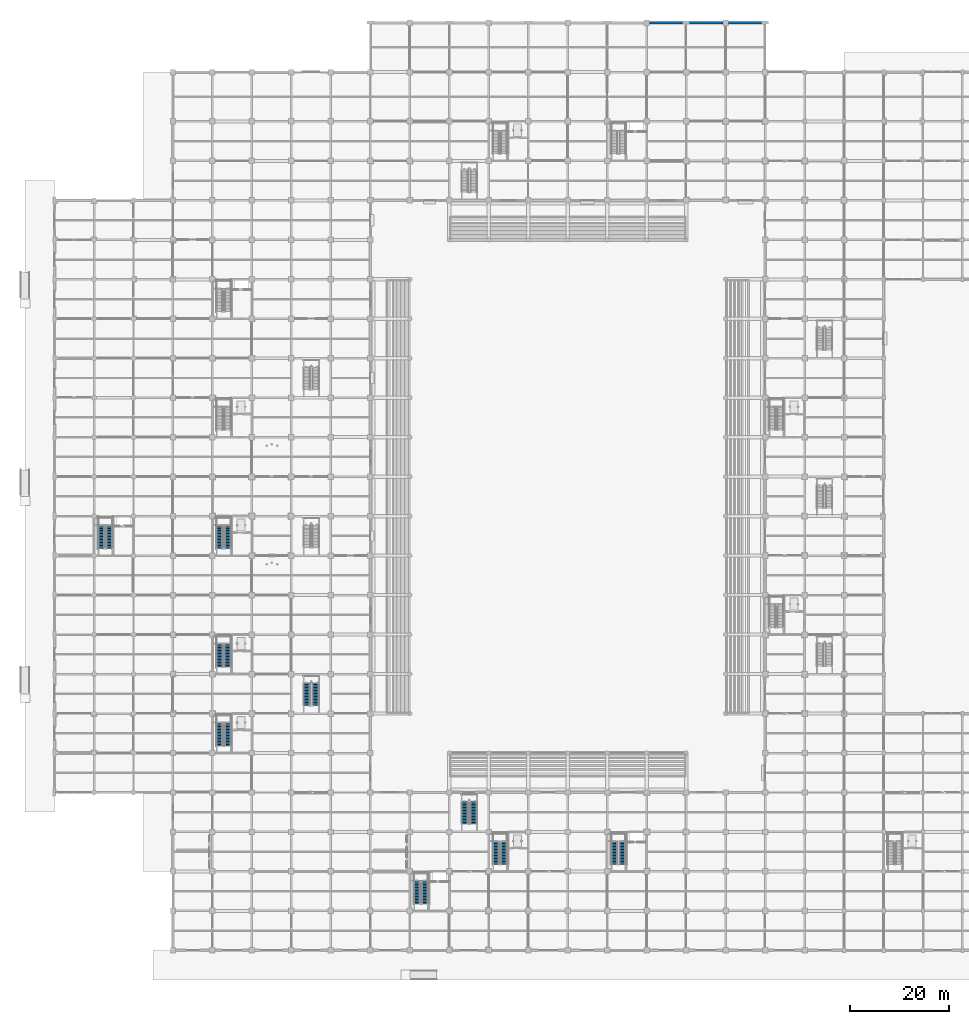
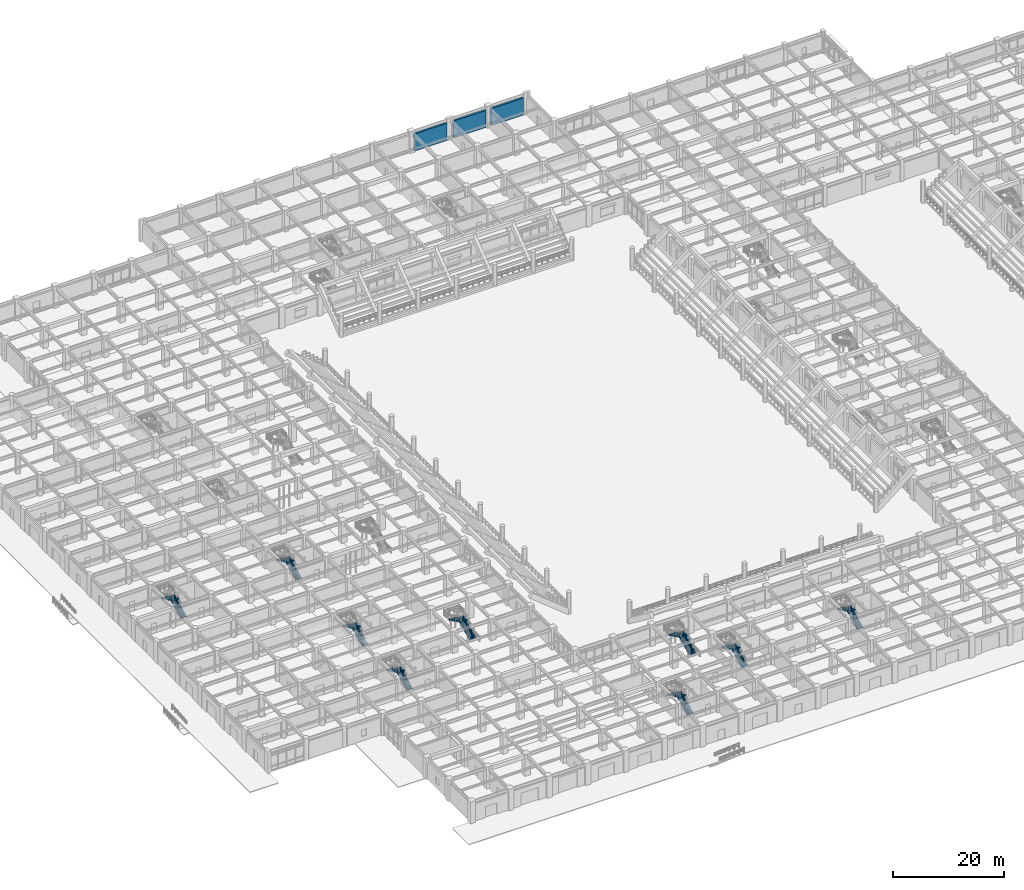
# One storey, part 94 of 125: 18 stair flights, 3 walls, 9 elements without a shape of their own.
"""IFC4 building model written with IfcOpenShell, lengths in metres."""

from ifc_helpers import new_model, si_unit, direction, frame, frame_2d, origin, place, context, subcontext, project, spatial, polyline, rectangle, outline, extrude, material, layer, layer_set, type_object, element, aggregate, save


model = new_model("IFC4")

# Units and contexts
model_context = context("Model", 3, precision=1e-05, world=origin(), true_north=direction((0.0, 1.0)))
body_context = subcontext(model_context, "Body", "Model", "MODEL_VIEW")
ifc_project = project(units=[si_unit("LENGTHUNIT", "METRE"), si_unit("AREAUNIT", "SQUARE_METRE"), si_unit("VOLUMEUNIT", "CUBIC_METRE"), si_unit("PLANEANGLEUNIT", "RADIAN"), si_unit("MASSUNIT", "GRAM", prefix="KILO")], contexts=[model_context])

# Site, building, storey
site_placement = place(None, origin())
site = spatial("IfcSite", under=ifc_project, at=site_placement, CompositionType="ELEMENT")
building_placement = place(site_placement, origin())
building = spatial("IfcBuilding", under=site, at=building_placement, Name="Haebicheon Civic Stadium", CompositionType="ELEMENT")
storey_placement = place(building_placement, origin())
storey = spatial("IfcBuildingStorey", under=building, at=storey_placement, Name="L01", CompositionType="ELEMENT", Elevation=0.0)

# Walls
ifc_material_1 = material(Name="Concrete C40/50", Category="concrete")
ifc_layer = layer(ifc_material_1, 0.419921875, Name="Concrete C40/50")
ifc_layer_set = layer_set([ifc_layer], Name="Concrete C40/50")
wall_type = type_object("IfcWallType", Name="EW-BM-420", PredefinedType="SOLIDWALL", material=ifc_layer_set)
for number, where, z_axis, x_axis, name in (
    (1, (120.550048828125, 188.0, 0.0), (0.0, 0.0, 1.0), (1.0, 0.0, 0.0), "L01 solid fire-rated exterior wall 15-23-N"),
    (2, (128.699951171875, 188.0, 0.0), (0.0, 0.0, 1.0), (1.0, 0.0, 0.0), "L01 solid fire-rated exterior wall 16-23-N"),
    (3, (136.550048828125, 188.0, 0.0), (0.0, 0.0, 1.0), (1.0, 0.0, 0.0), "L01 solid fire-rated exterior wall 17-23-N"),
):
    element("IfcWall", number, at=place(storey_placement, frame(where, z_axis=z_axis, x_axis=x_axis)), inside=storey, type_object=wall_type, material=ifc_layer_set, Name=name, PredefinedType="SOLIDWALL", context=body_context, shape_type="SweptSolid", body=[
        extrude(rectangle(XDim=6.75, YDim=0.419921875, at=frame_2d((3.375, 0.0))), origin(), (0.0, 0.0, 1.0), 3.77001953125),
    ])

# Stair, stair flights
ifc_material_2 = material(Name="Concrete C40/50", Category="concrete")
stair_type_1 = type_object("IfcStairType", Name="STR-DL-W126-H48", PredefinedType="HALF_TURN_STAIR", material=ifc_material_2)
stair_1_placement = place(storey_placement, origin())
stair_1 = element("IfcStair", 4, at=stair_1_placement, inside=storey, type_object=stair_type_1, material=ifc_material_2, Name="L01 Escape stair ST-01", PredefinedType="HALF_TURN_STAIR")
ifc_material_3 = material(Name="Concrete C40/50", Category="concrete")
stair_flight_type_1 = type_object("IfcStairFlightType", Name="STF-DL-W126-H48", PredefinedType="STRAIGHT", material=ifc_material_3)
stair_flight_1_placement = place(storey_placement, frame((35.110107421875, 41.449951171875, 0.0), z_axis=(0.0, 0.0, 1.0), x_axis=(0.0, 1.0, 0.0)))
stair_flight_1 = element("IfcStairFlight", 5, at=stair_flight_1_placement, type_object=stair_flight_type_1, material=ifc_material_3, Name="ST-01 flight 1", NumberOfRisers=16, NumberOfTreads=15, PredefinedType="STRAIGHT", RiserHeight=0.15, TreadLength=0.3, context=body_context, shape_type="SweptSolid", body=[
    extrude(outline(polyline([(0.0, 0.0), (0.0, 0.14990234375), (0.300048828125, 0.14990234375), (0.300048828125, 0.300048828125), (0.60009765625, 0.300048828125), (0.60009765625, 0.449951171875), (0.89990234375, 0.449951171875), (0.89990234375, 0.60009765625), (1.199951171875, 0.60009765625), (1.199951171875, 0.75), (1.5, 0.75), (1.5, 0.89990234375), (1.800048828125, 0.89990234375), (1.800048828125, 1.050048828125), (2.10009765625, 1.050048828125), (2.10009765625, 1.199951171875), (2.39990234375, 1.199951171875), (2.39990234375, 1.35009765625), (2.699951171875, 1.35009765625), (2.699951171875, 1.5), (3.0, 1.5), (3.0, 1.64990234375), (3.300048828125, 1.64990234375), (3.300048828125, 1.800048828125), (3.60009765625, 1.800048828125), (3.60009765625, 1.949951171875), (3.89990234375, 1.949951171875), (3.89990234375, 2.10009765625), (4.199951171875, 2.10009765625), (4.199951171875, 2.25), (4.5, 2.25), (4.5, 2.39990234375), (4.5, 2.0712890625), (0.357666015625, 0.0), (0.0, 0.0)])), frame((0.0, 0.6298828125, 0.0), z_axis=(0.0, -1.0, 0.0), x_axis=(1.0, 0.0, 0.0)), (0.0, 0.0, 1.0), 1.260009765625),
])
stair_flight_2_placement = place(storey_placement, frame((33.469970703125, 45.949951171875, 2.39990234375), z_axis=(0.0, 0.0, 1.0), x_axis=(0.0, -1.0, 0.0)))
stair_flight_2 = element("IfcStairFlight", 6, at=stair_flight_2_placement, type_object=stair_flight_type_1, material=ifc_material_3, Name="ST-01 flight 2", NumberOfRisers=16, NumberOfTreads=15, PredefinedType="STRAIGHT", RiserHeight=0.15, TreadLength=0.3, context=body_context, shape_type="SweptSolid", body=[
    extrude(outline(polyline([(0.0, 0.0), (0.0, 0.14990234375), (0.300048828125, 0.14990234375), (0.300048828125, 0.300048828125), (0.60009765625, 0.300048828125), (0.60009765625, 0.449951171875), (0.89990234375, 0.449951171875), (0.89990234375, 0.60009765625), (1.199951171875, 0.60009765625), (1.199951171875, 0.75), (1.5, 0.75), (1.5, 0.89990234375), (1.800048828125, 0.89990234375), (1.800048828125, 1.050048828125), (2.10009765625, 1.050048828125), (2.10009765625, 1.199951171875), (2.39990234375, 1.199951171875), (2.39990234375, 1.35009765625), (2.699951171875, 1.35009765625), (2.699951171875, 1.5), (3.0, 1.5), (3.0, 1.64990234375), (3.300048828125, 1.64990234375), (3.300048828125, 1.800048828125), (3.60009765625, 1.800048828125), (3.60009765625, 1.949951171875), (3.89990234375, 1.949951171875), (3.89990234375, 2.10009765625), (4.199951171875, 2.10009765625), (4.199951171875, 2.25), (4.5, 2.25), (4.5, 2.39990234375), (4.5, 2.0712890625), (0.357666015625, 0.0), (0.0, 0.0)])), frame((0.0, 0.6298828125, 0.0), z_axis=(0.0, -1.0, 0.0), x_axis=(1.0, 0.0, 0.0)), (0.0, 0.0, 1.0), 1.260009765625),
])
aggregate(stair_1, [stair_flight_1, stair_flight_2])

stair_2_placement = place(storey_placement, origin())
stair_2 = element("IfcStair", 7, at=stair_2_placement, inside=storey, type_object=stair_type_1, material=ifc_material_2, Name="L01 Escape stair ST-03", PredefinedType="HALF_TURN_STAIR")
stair_flight_3_placement = place(storey_placement, frame((35.110107421875, 81.449951171875, 0.0), z_axis=(0.0, 0.0, 1.0), x_axis=(0.0, 1.0, 0.0)))
stair_flight_3 = element("IfcStairFlight", 8, at=stair_flight_3_placement, type_object=stair_flight_type_1, material=ifc_material_3, Name="ST-03 flight 1", NumberOfRisers=16, NumberOfTreads=15, PredefinedType="STRAIGHT", RiserHeight=0.15, TreadLength=0.3, context=body_context, shape_type="SweptSolid", body=[
    extrude(outline(polyline([(0.0, 0.0), (0.0, 0.14990234375), (0.300048828125, 0.14990234375), (0.300048828125, 0.300048828125), (0.60009765625, 0.300048828125), (0.60009765625, 0.449951171875), (0.89990234375, 0.449951171875), (0.89990234375, 0.60009765625), (1.199951171875, 0.60009765625), (1.199951171875, 0.75), (1.5, 0.75), (1.5, 0.89990234375), (1.800048828125, 0.89990234375), (1.800048828125, 1.050048828125), (2.10009765625, 1.050048828125), (2.10009765625, 1.199951171875), (2.39990234375, 1.199951171875), (2.39990234375, 1.35009765625), (2.699951171875, 1.35009765625), (2.699951171875, 1.5), (3.0, 1.5), (3.0, 1.64990234375), (3.300048828125, 1.64990234375), (3.300048828125, 1.800048828125), (3.60009765625, 1.800048828125), (3.60009765625, 1.949951171875), (3.89990234375, 1.949951171875), (3.89990234375, 2.10009765625), (4.199951171875, 2.10009765625), (4.199951171875, 2.25), (4.5, 2.25), (4.5, 2.39990234375), (4.5, 2.0712890625), (0.357666015625, 0.0), (0.0, 0.0)])), frame((0.0, 0.6298828125, 0.0), z_axis=(0.0, -1.0, 0.0), x_axis=(1.0, 0.0, 0.0)), (0.0, 0.0, 1.0), 1.260009765625),
])
stair_flight_4_placement = place(storey_placement, frame((33.469970703125, 85.949951171875, 2.39990234375), z_axis=(0.0, 0.0, 1.0), x_axis=(0.0, -1.0, 0.0)))
stair_flight_4 = element("IfcStairFlight", 9, at=stair_flight_4_placement, type_object=stair_flight_type_1, material=ifc_material_3, Name="ST-03 flight 2", NumberOfRisers=16, NumberOfTreads=15, PredefinedType="STRAIGHT", RiserHeight=0.15, TreadLength=0.3, context=body_context, shape_type="SweptSolid", body=[
    extrude(outline(polyline([(0.0, 0.0), (0.0, 0.14990234375), (0.300048828125, 0.14990234375), (0.300048828125, 0.300048828125), (0.60009765625, 0.300048828125), (0.60009765625, 0.449951171875), (0.89990234375, 0.449951171875), (0.89990234375, 0.60009765625), (1.199951171875, 0.60009765625), (1.199951171875, 0.75), (1.5, 0.75), (1.5, 0.89990234375), (1.800048828125, 0.89990234375), (1.800048828125, 1.050048828125), (2.10009765625, 1.050048828125), (2.10009765625, 1.199951171875), (2.39990234375, 1.199951171875), (2.39990234375, 1.35009765625), (2.699951171875, 1.35009765625), (2.699951171875, 1.5), (3.0, 1.5), (3.0, 1.64990234375), (3.300048828125, 1.64990234375), (3.300048828125, 1.800048828125), (3.60009765625, 1.800048828125), (3.60009765625, 1.949951171875), (3.89990234375, 1.949951171875), (3.89990234375, 2.10009765625), (4.199951171875, 2.10009765625), (4.199951171875, 2.25), (4.5, 2.25), (4.5, 2.39990234375), (4.5, 2.0712890625), (0.357666015625, 0.0), (0.0, 0.0)])), frame((0.0, 0.6298828125, 0.0), z_axis=(0.0, -1.0, 0.0), x_axis=(1.0, 0.0, 0.0)), (0.0, 0.0, 1.0), 1.260009765625),
])
aggregate(stair_2, [stair_flight_3, stair_flight_4])

stair_3_placement = place(storey_placement, origin())
stair_3 = element("IfcStair", 10, at=stair_3_placement, inside=storey, type_object=stair_type_1, material=ifc_material_2, Name="L01 Escape stair ST-07", PredefinedType="HALF_TURN_STAIR")
stair_flight_5_placement = place(storey_placement, frame((115.110107421875, 17.449951171875, 0.0), z_axis=(0.0, 0.0, 1.0), x_axis=(0.0, 1.0, 0.0)))
stair_flight_5 = element("IfcStairFlight", 11, at=stair_flight_5_placement, type_object=stair_flight_type_1, material=ifc_material_3, Name="ST-07 flight 1", NumberOfRisers=16, NumberOfTreads=15, PredefinedType="STRAIGHT", RiserHeight=0.15, TreadLength=0.3, context=body_context, shape_type="SweptSolid", body=[
    extrude(outline(polyline([(0.0, 0.0), (0.0, 0.14990234375), (0.300048828125, 0.14990234375), (0.300048828125, 0.300048828125), (0.60009765625, 0.300048828125), (0.60009765625, 0.449951171875), (0.89990234375, 0.449951171875), (0.89990234375, 0.60009765625), (1.199951171875, 0.60009765625), (1.199951171875, 0.75), (1.5, 0.75), (1.5, 0.89990234375), (1.800048828125, 0.89990234375), (1.800048828125, 1.050048828125), (2.10009765625, 1.050048828125), (2.10009765625, 1.199951171875), (2.39990234375, 1.199951171875), (2.39990234375, 1.35009765625), (2.699951171875, 1.35009765625), (2.699951171875, 1.5), (3.0, 1.5), (3.0, 1.64990234375), (3.300048828125, 1.64990234375), (3.300048828125, 1.800048828125), (3.60009765625, 1.800048828125), (3.60009765625, 1.949951171875), (3.89990234375, 1.949951171875), (3.89990234375, 2.10009765625), (4.199951171875, 2.10009765625), (4.199951171875, 2.25), (4.5, 2.25), (4.5, 2.39990234375), (4.5, 2.0712890625), (0.357666015625, 0.0), (0.0, 0.0)])), frame((0.0, 0.6298828125, 0.0), z_axis=(0.0, -1.0, 0.0), x_axis=(1.0, 0.0, 0.0)), (0.0, 0.0, 1.0), 1.260009765625),
])
stair_flight_6_placement = place(storey_placement, frame((113.469970703125, 21.949951171875, 2.39990234375), z_axis=(0.0, 0.0, 1.0), x_axis=(0.0, -1.0, 0.0)))
stair_flight_6 = element("IfcStairFlight", 12, at=stair_flight_6_placement, type_object=stair_flight_type_1, material=ifc_material_3, Name="ST-07 flight 2", NumberOfRisers=16, NumberOfTreads=15, PredefinedType="STRAIGHT", RiserHeight=0.15, TreadLength=0.3, context=body_context, shape_type="SweptSolid", body=[
    extrude(outline(polyline([(0.0, 0.0), (0.0, 0.14990234375), (0.300048828125, 0.14990234375), (0.300048828125, 0.300048828125), (0.60009765625, 0.300048828125), (0.60009765625, 0.449951171875), (0.89990234375, 0.449951171875), (0.89990234375, 0.60009765625), (1.199951171875, 0.60009765625), (1.199951171875, 0.75), (1.5, 0.75), (1.5, 0.89990234375), (1.800048828125, 0.89990234375), (1.800048828125, 1.050048828125), (2.10009765625, 1.050048828125), (2.10009765625, 1.199951171875), (2.39990234375, 1.199951171875), (2.39990234375, 1.35009765625), (2.699951171875, 1.35009765625), (2.699951171875, 1.5), (3.0, 1.5), (3.0, 1.64990234375), (3.300048828125, 1.64990234375), (3.300048828125, 1.800048828125), (3.60009765625, 1.800048828125), (3.60009765625, 1.949951171875), (3.89990234375, 1.949951171875), (3.89990234375, 2.10009765625), (4.199951171875, 2.10009765625), (4.199951171875, 2.25), (4.5, 2.25), (4.5, 2.39990234375), (4.5, 2.0712890625), (0.357666015625, 0.0), (0.0, 0.0)])), frame((0.0, 0.6298828125, 0.0), z_axis=(0.0, -1.0, 0.0), x_axis=(1.0, 0.0, 0.0)), (0.0, 0.0, 1.0), 1.260009765625),
])
aggregate(stair_3, [stair_flight_5, stair_flight_6])

stair_4_placement = place(storey_placement, origin())
stair_4 = element("IfcStair", 13, at=stair_4_placement, inside=storey, type_object=stair_type_1, material=ifc_material_2, Name="L01 Escape stair ST-15", PredefinedType="HALF_TURN_STAIR")
stair_flight_7_placement = place(storey_placement, frame((11.110107421875, 81.449951171875, 0.0), z_axis=(0.0, 0.0, 1.0), x_axis=(0.0, 1.0, 0.0)))
stair_flight_7 = element("IfcStairFlight", 14, at=stair_flight_7_placement, type_object=stair_flight_type_1, material=ifc_material_3, Name="ST-15 flight 1", NumberOfRisers=16, NumberOfTreads=15, PredefinedType="STRAIGHT", RiserHeight=0.15, TreadLength=0.3, context=body_context, shape_type="SweptSolid", body=[
    extrude(outline(polyline([(0.0, 0.0), (0.0, 0.14990234375), (0.300048828125, 0.14990234375), (0.300048828125, 0.300048828125), (0.60009765625, 0.300048828125), (0.60009765625, 0.449951171875), (0.89990234375, 0.449951171875), (0.89990234375, 0.60009765625), (1.199951171875, 0.60009765625), (1.199951171875, 0.75), (1.5, 0.75), (1.5, 0.89990234375), (1.800048828125, 0.89990234375), (1.800048828125, 1.050048828125), (2.10009765625, 1.050048828125), (2.10009765625, 1.199951171875), (2.39990234375, 1.199951171875), (2.39990234375, 1.35009765625), (2.699951171875, 1.35009765625), (2.699951171875, 1.5), (3.0, 1.5), (3.0, 1.64990234375), (3.300048828125, 1.64990234375), (3.300048828125, 1.800048828125), (3.60009765625, 1.800048828125), (3.60009765625, 1.949951171875), (3.89990234375, 1.949951171875), (3.89990234375, 2.10009765625), (4.199951171875, 2.10009765625), (4.199951171875, 2.25), (4.5, 2.25), (4.5, 2.39990234375), (4.5, 2.0712890625), (0.357666015625, 0.0), (0.0, 0.0)])), frame((0.0, 0.6298828125, 0.0), z_axis=(0.0, -1.0, 0.0), x_axis=(1.0, 0.0, 0.0)), (0.0, 0.0, 1.0), 1.260009765625),
])
stair_flight_8_placement = place(storey_placement, frame((9.469970703125, 85.949951171875, 2.39990234375), z_axis=(0.0, 0.0, 1.0), x_axis=(0.0, -1.0, 0.0)))
stair_flight_8 = element("IfcStairFlight", 15, at=stair_flight_8_placement, type_object=stair_flight_type_1, material=ifc_material_3, Name="ST-15 flight 2", NumberOfRisers=16, NumberOfTreads=15, PredefinedType="STRAIGHT", RiserHeight=0.15, TreadLength=0.3, context=body_context, shape_type="SweptSolid", body=[
    extrude(outline(polyline([(0.0, 0.0), (0.0, 0.14990234375), (0.300048828125, 0.14990234375), (0.300048828125, 0.300048828125), (0.60009765625, 0.300048828125), (0.60009765625, 0.449951171875), (0.89990234375, 0.449951171875), (0.89990234375, 0.60009765625), (1.199951171875, 0.60009765625), (1.199951171875, 0.75), (1.5, 0.75), (1.5, 0.89990234375), (1.800048828125, 0.89990234375), (1.800048828125, 1.050048828125), (2.10009765625, 1.050048828125), (2.10009765625, 1.199951171875), (2.39990234375, 1.199951171875), (2.39990234375, 1.35009765625), (2.699951171875, 1.35009765625), (2.699951171875, 1.5), (3.0, 1.5), (3.0, 1.64990234375), (3.300048828125, 1.64990234375), (3.300048828125, 1.800048828125), (3.60009765625, 1.800048828125), (3.60009765625, 1.949951171875), (3.89990234375, 1.949951171875), (3.89990234375, 2.10009765625), (4.199951171875, 2.10009765625), (4.199951171875, 2.25), (4.5, 2.25), (4.5, 2.39990234375), (4.5, 2.0712890625), (0.357666015625, 0.0), (0.0, 0.0)])), frame((0.0, 0.6298828125, 0.0), z_axis=(0.0, -1.0, 0.0), x_axis=(1.0, 0.0, 0.0)), (0.0, 0.0, 1.0), 1.260009765625),
])
aggregate(stair_4, [stair_flight_7, stair_flight_8])

ifc_material_4 = material(Name="Concrete C40/50", Category="concrete")
stair_type_2 = type_object("IfcStairType", Name="STR-DL-W128-H48", PredefinedType="HALF_TURN_STAIR", material=ifc_material_4)
stair_5_placement = place(storey_placement, origin())
stair_5 = element("IfcStair", 16, at=stair_5_placement, inside=storey, type_object=stair_type_2, material=ifc_material_4, Name="L01 Escape stair ST-02", PredefinedType="HALF_TURN_STAIR")
ifc_material_5 = material(Name="Concrete C40/50", Category="concrete")
stair_flight_type_2 = type_object("IfcStairFlightType", Name="STF-DL-W128-H48", PredefinedType="STRAIGHT", material=ifc_material_5)
stair_flight_9_placement = place(storey_placement, frame((35.10009765625, 57.449951171875, 0.0), z_axis=(0.0, 0.0, 1.0), x_axis=(0.0, 1.0, 0.0)))
stair_flight_9 = element("IfcStairFlight", 17, at=stair_flight_9_placement, type_object=stair_flight_type_2, material=ifc_material_5, Name="ST-02 flight 1", NumberOfRisers=16, NumberOfTreads=15, PredefinedType="STRAIGHT", RiserHeight=0.15, TreadLength=0.3, context=body_context, shape_type="SweptSolid", body=[
    extrude(outline(polyline([(0.0, 0.0), (0.0, 0.14990234375), (0.300048828125, 0.14990234375), (0.300048828125, 0.300048828125), (0.60009765625, 0.300048828125), (0.60009765625, 0.449951171875), (0.89990234375, 0.449951171875), (0.89990234375, 0.60009765625), (1.199951171875, 0.60009765625), (1.199951171875, 0.75), (1.5, 0.75), (1.5, 0.89990234375), (1.800048828125, 0.89990234375), (1.800048828125, 1.050048828125), (2.10009765625, 1.050048828125), (2.10009765625, 1.199951171875), (2.39990234375, 1.199951171875), (2.39990234375, 1.35009765625), (2.699951171875, 1.35009765625), (2.699951171875, 1.5), (3.0, 1.5), (3.0, 1.64990234375), (3.300048828125, 1.64990234375), (3.300048828125, 1.800048828125), (3.60009765625, 1.800048828125), (3.60009765625, 1.949951171875), (3.89990234375, 1.949951171875), (3.89990234375, 2.10009765625), (4.199951171875, 2.10009765625), (4.199951171875, 2.25), (4.5, 2.25), (4.5, 2.39990234375), (4.5, 2.0712890625), (0.357666015625, 0.0), (0.0, 0.0)])), frame((0.0, 0.64013671875, 0.0), z_axis=(0.0, -1.0, 0.0), x_axis=(1.0, 0.0, 0.0)), (0.0, 0.0, 1.0), 1.280029296875),
])
stair_flight_10_placement = place(storey_placement, frame((33.47998046875, 61.949951171875, 2.39990234375), z_axis=(0.0, 0.0, 1.0), x_axis=(0.0, -1.0, 0.0)))
stair_flight_10 = element("IfcStairFlight", 18, at=stair_flight_10_placement, type_object=stair_flight_type_2, material=ifc_material_5, Name="ST-02 flight 2", NumberOfRisers=16, NumberOfTreads=15, PredefinedType="STRAIGHT", RiserHeight=0.15, TreadLength=0.3, context=body_context, shape_type="SweptSolid", body=[
    extrude(outline(polyline([(0.0, 0.0), (0.0, 0.14990234375), (0.300048828125, 0.14990234375), (0.300048828125, 0.300048828125), (0.60009765625, 0.300048828125), (0.60009765625, 0.449951171875), (0.89990234375, 0.449951171875), (0.89990234375, 0.60009765625), (1.199951171875, 0.60009765625), (1.199951171875, 0.75), (1.5, 0.75), (1.5, 0.89990234375), (1.800048828125, 0.89990234375), (1.800048828125, 1.050048828125), (2.10009765625, 1.050048828125), (2.10009765625, 1.199951171875), (2.39990234375, 1.199951171875), (2.39990234375, 1.35009765625), (2.699951171875, 1.35009765625), (2.699951171875, 1.5), (3.0, 1.5), (3.0, 1.64990234375), (3.300048828125, 1.64990234375), (3.300048828125, 1.800048828125), (3.60009765625, 1.800048828125), (3.60009765625, 1.949951171875), (3.89990234375, 1.949951171875), (3.89990234375, 2.10009765625), (4.199951171875, 2.10009765625), (4.199951171875, 2.25), (4.5, 2.25), (4.5, 2.39990234375), (4.5, 2.0712890625), (0.357666015625, 0.0), (0.0, 0.0)])), frame((0.0, 0.64013671875, 0.0), z_axis=(0.0, -1.0, 0.0), x_axis=(1.0, 0.0, 0.0)), (0.0, 0.0, 1.0), 1.280029296875),
])
aggregate(stair_5, [stair_flight_9, stair_flight_10])

stair_6_placement = place(storey_placement, origin())
stair_6 = element("IfcStair", 19, at=stair_6_placement, inside=storey, type_object=stair_type_2, material=ifc_material_4, Name="L01 Escape stair ST-06", PredefinedType="HALF_TURN_STAIR")
stair_flight_11_placement = place(storey_placement, frame((91.10009765625, 17.449951171875, 0.0), z_axis=(0.0, 0.0, 1.0), x_axis=(0.0, 1.0, 0.0)))
stair_flight_11 = element("IfcStairFlight", 20, at=stair_flight_11_placement, type_object=stair_flight_type_2, material=ifc_material_5, Name="ST-06 flight 1", NumberOfRisers=16, NumberOfTreads=15, PredefinedType="STRAIGHT", RiserHeight=0.15, TreadLength=0.3, context=body_context, shape_type="SweptSolid", body=[
    extrude(outline(polyline([(0.0, 0.0), (0.0, 0.14990234375), (0.300048828125, 0.14990234375), (0.300048828125, 0.300048828125), (0.60009765625, 0.300048828125), (0.60009765625, 0.449951171875), (0.89990234375, 0.449951171875), (0.89990234375, 0.60009765625), (1.199951171875, 0.60009765625), (1.199951171875, 0.75), (1.5, 0.75), (1.5, 0.89990234375), (1.800048828125, 0.89990234375), (1.800048828125, 1.050048828125), (2.10009765625, 1.050048828125), (2.10009765625, 1.199951171875), (2.39990234375, 1.199951171875), (2.39990234375, 1.35009765625), (2.699951171875, 1.35009765625), (2.699951171875, 1.5), (3.0, 1.5), (3.0, 1.64990234375), (3.300048828125, 1.64990234375), (3.300048828125, 1.800048828125), (3.60009765625, 1.800048828125), (3.60009765625, 1.949951171875), (3.89990234375, 1.949951171875), (3.89990234375, 2.10009765625), (4.199951171875, 2.10009765625), (4.199951171875, 2.25), (4.5, 2.25), (4.5, 2.39990234375), (4.5, 2.0712890625), (0.357666015625, 0.0), (0.0, 0.0)])), frame((0.0, 0.64013671875, 0.0), z_axis=(0.0, -1.0, 0.0), x_axis=(1.0, 0.0, 0.0)), (0.0, 0.0, 1.0), 1.280029296875),
])
stair_flight_12_placement = place(storey_placement, frame((89.47998046875, 21.949951171875, 2.39990234375), z_axis=(0.0, 0.0, 1.0), x_axis=(0.0, -1.0, 0.0)))
stair_flight_12 = element("IfcStairFlight", 21, at=stair_flight_12_placement, type_object=stair_flight_type_2, material=ifc_material_5, Name="ST-06 flight 2", NumberOfRisers=16, NumberOfTreads=15, PredefinedType="STRAIGHT", RiserHeight=0.15, TreadLength=0.3, context=body_context, shape_type="SweptSolid", body=[
    extrude(outline(polyline([(0.0, 0.0), (0.0, 0.14990234375), (0.300048828125, 0.14990234375), (0.300048828125, 0.300048828125), (0.60009765625, 0.300048828125), (0.60009765625, 0.449951171875), (0.89990234375, 0.449951171875), (0.89990234375, 0.60009765625), (1.199951171875, 0.60009765625), (1.199951171875, 0.75), (1.5, 0.75), (1.5, 0.89990234375), (1.800048828125, 0.89990234375), (1.800048828125, 1.050048828125), (2.10009765625, 1.050048828125), (2.10009765625, 1.199951171875), (2.39990234375, 1.199951171875), (2.39990234375, 1.35009765625), (2.699951171875, 1.35009765625), (2.699951171875, 1.5), (3.0, 1.5), (3.0, 1.64990234375), (3.300048828125, 1.64990234375), (3.300048828125, 1.800048828125), (3.60009765625, 1.800048828125), (3.60009765625, 1.949951171875), (3.89990234375, 1.949951171875), (3.89990234375, 2.10009765625), (4.199951171875, 2.10009765625), (4.199951171875, 2.25), (4.5, 2.25), (4.5, 2.39990234375), (4.5, 2.0712890625), (0.357666015625, 0.0), (0.0, 0.0)])), frame((0.0, 0.64013671875, 0.0), z_axis=(0.0, -1.0, 0.0), x_axis=(1.0, 0.0, 0.0)), (0.0, 0.0, 1.0), 1.280029296875),
])
aggregate(stair_6, [stair_flight_11, stair_flight_12])

stair_7_placement = place(storey_placement, origin())
stair_7 = element("IfcStair", 22, at=stair_7_placement, inside=storey, type_object=stair_type_2, material=ifc_material_4, Name="L01 Escape stair ST-16", PredefinedType="HALF_TURN_STAIR")
stair_flight_13_placement = place(storey_placement, frame((75.10009765625, 9.449951171875, 0.0), z_axis=(0.0, 0.0, 1.0), x_axis=(0.0, 1.0, 0.0)))
stair_flight_13 = element("IfcStairFlight", 23, at=stair_flight_13_placement, type_object=stair_flight_type_2, material=ifc_material_5, Name="ST-16 flight 1", NumberOfRisers=16, NumberOfTreads=15, PredefinedType="STRAIGHT", RiserHeight=0.15, TreadLength=0.3, context=body_context, shape_type="SweptSolid", body=[
    extrude(outline(polyline([(0.0, 0.0), (0.0, 0.14990234375), (0.300048828125, 0.14990234375), (0.300048828125, 0.300048828125), (0.60009765625, 0.300048828125), (0.60009765625, 0.449951171875), (0.89990234375, 0.449951171875), (0.89990234375, 0.60009765625), (1.199951171875, 0.60009765625), (1.199951171875, 0.75), (1.5, 0.75), (1.5, 0.89990234375), (1.800048828125, 0.89990234375), (1.800048828125, 1.050048828125), (2.10009765625, 1.050048828125), (2.10009765625, 1.199951171875), (2.39990234375, 1.199951171875), (2.39990234375, 1.35009765625), (2.699951171875, 1.35009765625), (2.699951171875, 1.5), (3.0, 1.5), (3.0, 1.64990234375), (3.300048828125, 1.64990234375), (3.300048828125, 1.800048828125), (3.60009765625, 1.800048828125), (3.60009765625, 1.949951171875), (3.89990234375, 1.949951171875), (3.89990234375, 2.10009765625), (4.199951171875, 2.10009765625), (4.199951171875, 2.25), (4.5, 2.25), (4.5, 2.39990234375), (4.5, 2.0712890625), (0.357666015625, 0.0), (0.0, 0.0)])), frame((0.0, 0.64013671875, 0.0), z_axis=(0.0, -1.0, 0.0), x_axis=(1.0, 0.0, 0.0)), (0.0, 0.0, 1.0), 1.280029296875),
])
stair_flight_14_placement = place(storey_placement, frame((73.47998046875, 13.949951171875, 2.39990234375), z_axis=(0.0, 0.0, 1.0), x_axis=(0.0, -1.0, 0.0)))
stair_flight_14 = element("IfcStairFlight", 24, at=stair_flight_14_placement, type_object=stair_flight_type_2, material=ifc_material_5, Name="ST-16 flight 2", NumberOfRisers=16, NumberOfTreads=15, PredefinedType="STRAIGHT", RiserHeight=0.15, TreadLength=0.3, context=body_context, shape_type="SweptSolid", body=[
    extrude(outline(polyline([(0.0, 0.0), (0.0, 0.14990234375), (0.300048828125, 0.14990234375), (0.300048828125, 0.300048828125), (0.60009765625, 0.300048828125), (0.60009765625, 0.449951171875), (0.89990234375, 0.449951171875), (0.89990234375, 0.60009765625), (1.199951171875, 0.60009765625), (1.199951171875, 0.75), (1.5, 0.75), (1.5, 0.89990234375), (1.800048828125, 0.89990234375), (1.800048828125, 1.050048828125), (2.10009765625, 1.050048828125), (2.10009765625, 1.199951171875), (2.39990234375, 1.199951171875), (2.39990234375, 1.35009765625), (2.699951171875, 1.35009765625), (2.699951171875, 1.5), (3.0, 1.5), (3.0, 1.64990234375), (3.300048828125, 1.64990234375), (3.300048828125, 1.800048828125), (3.60009765625, 1.800048828125), (3.60009765625, 1.949951171875), (3.89990234375, 1.949951171875), (3.89990234375, 2.10009765625), (4.199951171875, 2.10009765625), (4.199951171875, 2.25), (4.5, 2.25), (4.5, 2.39990234375), (4.5, 2.0712890625), (0.357666015625, 0.0), (0.0, 0.0)])), frame((0.0, 0.64013671875, 0.0), z_axis=(0.0, -1.0, 0.0), x_axis=(1.0, 0.0, 0.0)), (0.0, 0.0, 1.0), 1.280029296875),
])
aggregate(stair_7, [stair_flight_13, stair_flight_14])

ifc_material_6 = material(Name="Concrete C40/50", Category="concrete")
stair_type_3 = type_object("IfcStairType", Name="STR-DL-W136-H48", PredefinedType="HALF_TURN_STAIR", material=ifc_material_6)
stair_8_placement = place(storey_placement, origin())
stair_8 = element("IfcStair", 25, at=stair_8_placement, inside=storey, type_object=stair_type_3, material=ifc_material_6, Name="Vomitory stair VM-01 (L01)", PredefinedType="HALF_TURN_STAIR")
ifc_material_7 = material(Name="Concrete C40/50", Category="concrete")
stair_flight_type_3 = type_object("IfcStairFlightType", Name="STF-DL-W136-H48", PredefinedType="STRAIGHT", material=ifc_material_7)
stair_flight_15_placement = place(storey_placement, frame((52.9599609375, 49.64990234375, 0.0), z_axis=(0.0, 0.0, 1.0), x_axis=(0.0, 1.0, 0.0)))
stair_flight_15 = element("IfcStairFlight", 26, at=stair_flight_15_placement, type_object=stair_flight_type_3, material=ifc_material_7, Name="VM-01 flight 1", NumberOfRisers=16, NumberOfTreads=15, PredefinedType="STRAIGHT", RiserHeight=0.15, TreadLength=0.3, context=body_context, shape_type="SweptSolid", body=[
    extrude(outline(polyline([(0.0, 0.0), (0.0, 0.14990234375), (0.300048828125, 0.14990234375), (0.300048828125, 0.300048828125), (0.60009765625, 0.300048828125), (0.60009765625, 0.449951171875), (0.89990234375, 0.449951171875), (0.89990234375, 0.60009765625), (1.199951171875, 0.60009765625), (1.199951171875, 0.75), (1.5, 0.75), (1.5, 0.89990234375), (1.800048828125, 0.89990234375), (1.800048828125, 1.050048828125), (2.10009765625, 1.050048828125), (2.10009765625, 1.199951171875), (2.39990234375, 1.199951171875), (2.39990234375, 1.35009765625), (2.699951171875, 1.35009765625), (2.699951171875, 1.5), (3.0, 1.5), (3.0, 1.64990234375), (3.300048828125, 1.64990234375), (3.300048828125, 1.800048828125), (3.60009765625, 1.800048828125), (3.60009765625, 1.949951171875), (3.89990234375, 1.949951171875), (3.89990234375, 2.10009765625), (4.199951171875, 2.10009765625), (4.199951171875, 2.25), (4.5, 2.25), (4.5, 2.39990234375), (4.5, 2.0712890625), (0.357666015625, 0.0), (0.0, 0.0)])), frame((0.0, 0.68017578125, 0.0), z_axis=(0.0, -1.0, 0.0), x_axis=(1.0, 0.0, 0.0)), (0.0, 0.0, 1.0), 1.360107421875),
])
stair_flight_16_placement = place(storey_placement, frame((51.139892578125, 54.14990234375, 2.39990234375), z_axis=(0.0, 0.0, 1.0), x_axis=(0.0, -1.0, 0.0)))
stair_flight_16 = element("IfcStairFlight", 27, at=stair_flight_16_placement, type_object=stair_flight_type_3, material=ifc_material_7, Name="VM-01 flight 2", NumberOfRisers=16, NumberOfTreads=15, PredefinedType="STRAIGHT", RiserHeight=0.15, TreadLength=0.3, context=body_context, shape_type="SweptSolid", body=[
    extrude(outline(polyline([(0.0, 0.0), (0.0, 0.14990234375), (0.300048828125, 0.14990234375), (0.300048828125, 0.300048828125), (0.60009765625, 0.300048828125), (0.60009765625, 0.449951171875), (0.89990234375, 0.449951171875), (0.89990234375, 0.60009765625), (1.199951171875, 0.60009765625), (1.199951171875, 0.75), (1.5, 0.75), (1.5, 0.89990234375), (1.800048828125, 0.89990234375), (1.800048828125, 1.050048828125), (2.10009765625, 1.050048828125), (2.10009765625, 1.199951171875), (2.39990234375, 1.199951171875), (2.39990234375, 1.35009765625), (2.699951171875, 1.35009765625), (2.699951171875, 1.5), (3.0, 1.5), (3.0, 1.64990234375), (3.300048828125, 1.64990234375), (3.300048828125, 1.800048828125), (3.60009765625, 1.800048828125), (3.60009765625, 1.949951171875), (3.89990234375, 1.949951171875), (3.89990234375, 2.10009765625), (4.199951171875, 2.10009765625), (4.199951171875, 2.25), (4.5, 2.25), (4.5, 2.39990234375), (4.5, 2.0712890625), (0.357666015625, 0.0), (0.0, 0.0)])), frame((0.0, 0.68017578125, 0.0), z_axis=(0.0, -1.0, 0.0), x_axis=(1.0, 0.0, 0.0)), (0.0, 0.0, 1.0), 1.360107421875),
])
aggregate(stair_8, [stair_flight_15, stair_flight_16])

ifc_material_8 = material(Name="Concrete C40/50", Category="concrete")
stair_type_4 = type_object("IfcStairType", Name="STR-DL-W140-H48", PredefinedType="HALF_TURN_STAIR", material=ifc_material_8)
stair_9_placement = place(storey_placement, origin())
stair_9 = element("IfcStair", 28, at=stair_9_placement, inside=storey, type_object=stair_type_4, material=ifc_material_8, Name="Vomitory stair VM-10 (L01)", PredefinedType="HALF_TURN_STAIR")
ifc_material_9 = material(Name="Concrete C40/50", Category="concrete")
stair_flight_type_4 = type_object("IfcStairFlightType", Name="STF-DL-W140-H48", PredefinedType="STRAIGHT", material=ifc_material_9)
stair_flight_17_placement = place(storey_placement, frame((84.93994140625, 25.64990234375, 0.0), z_axis=(0.0, 0.0, 1.0), x_axis=(0.0, 1.0, 0.0)))
stair_flight_17 = element("IfcStairFlight", 29, at=stair_flight_17_placement, type_object=stair_flight_type_4, material=ifc_material_9, Name="VM-10 flight 1", NumberOfRisers=16, NumberOfTreads=15, PredefinedType="STRAIGHT", RiserHeight=0.15, TreadLength=0.3, context=body_context, shape_type="SweptSolid", body=[
    extrude(outline(polyline([(0.0, 0.0), (0.0, 0.14990234375), (0.300048828125, 0.14990234375), (0.300048828125, 0.300048828125), (0.60009765625, 0.300048828125), (0.60009765625, 0.449951171875), (0.89990234375, 0.449951171875), (0.89990234375, 0.60009765625), (1.199951171875, 0.60009765625), (1.199951171875, 0.75), (1.5, 0.75), (1.5, 0.89990234375), (1.800048828125, 0.89990234375), (1.800048828125, 1.050048828125), (2.10009765625, 1.050048828125), (2.10009765625, 1.199951171875), (2.39990234375, 1.199951171875), (2.39990234375, 1.35009765625), (2.699951171875, 1.35009765625), (2.699951171875, 1.5), (3.0, 1.5), (3.0, 1.64990234375), (3.300048828125, 1.64990234375), (3.300048828125, 1.800048828125), (3.60009765625, 1.800048828125), (3.60009765625, 1.949951171875), (3.89990234375, 1.949951171875), (3.89990234375, 2.10009765625), (4.199951171875, 2.10009765625), (4.199951171875, 2.25), (4.5, 2.25), (4.5, 2.39990234375), (4.5, 2.0712890625), (0.357666015625, 0.0), (0.0, 0.0)])), frame((0.0, 0.699951171875, 0.0), z_axis=(0.0, -1.0, 0.0), x_axis=(1.0, 0.0, 0.0)), (0.0, 0.0, 1.0), 1.39990234375),
])
stair_flight_18_placement = place(storey_placement, frame((83.159912109375, 30.14990234375, 2.39990234375), z_axis=(0.0, 0.0, 1.0), x_axis=(0.0, -1.0, 0.0)))
stair_flight_18 = element("IfcStairFlight", 30, at=stair_flight_18_placement, type_object=stair_flight_type_4, material=ifc_material_9, Name="VM-10 flight 2", NumberOfRisers=16, NumberOfTreads=15, PredefinedType="STRAIGHT", RiserHeight=0.15, TreadLength=0.3, context=body_context, shape_type="SweptSolid", body=[
    extrude(outline(polyline([(0.0, 0.0), (0.0, 0.14990234375), (0.300048828125, 0.14990234375), (0.300048828125, 0.300048828125), (0.60009765625, 0.300048828125), (0.60009765625, 0.449951171875), (0.89990234375, 0.449951171875), (0.89990234375, 0.60009765625), (1.199951171875, 0.60009765625), (1.199951171875, 0.75), (1.5, 0.75), (1.5, 0.89990234375), (1.800048828125, 0.89990234375), (1.800048828125, 1.050048828125), (2.10009765625, 1.050048828125), (2.10009765625, 1.199951171875), (2.39990234375, 1.199951171875), (2.39990234375, 1.35009765625), (2.699951171875, 1.35009765625), (2.699951171875, 1.5), (3.0, 1.5), (3.0, 1.64990234375), (3.300048828125, 1.64990234375), (3.300048828125, 1.800048828125), (3.60009765625, 1.800048828125), (3.60009765625, 1.949951171875), (3.89990234375, 1.949951171875), (3.89990234375, 2.10009765625), (4.199951171875, 2.10009765625), (4.199951171875, 2.25), (4.5, 2.25), (4.5, 2.39990234375), (4.5, 2.0712890625), (0.357666015625, 0.0), (0.0, 0.0)])), frame((0.0, 0.699951171875, 0.0), z_axis=(0.0, -1.0, 0.0), x_axis=(1.0, 0.0, 0.0)), (0.0, 0.0, 1.0), 1.39990234375),
])
aggregate(stair_9, [stair_flight_17, stair_flight_18])

save(model, "model.ifc")
